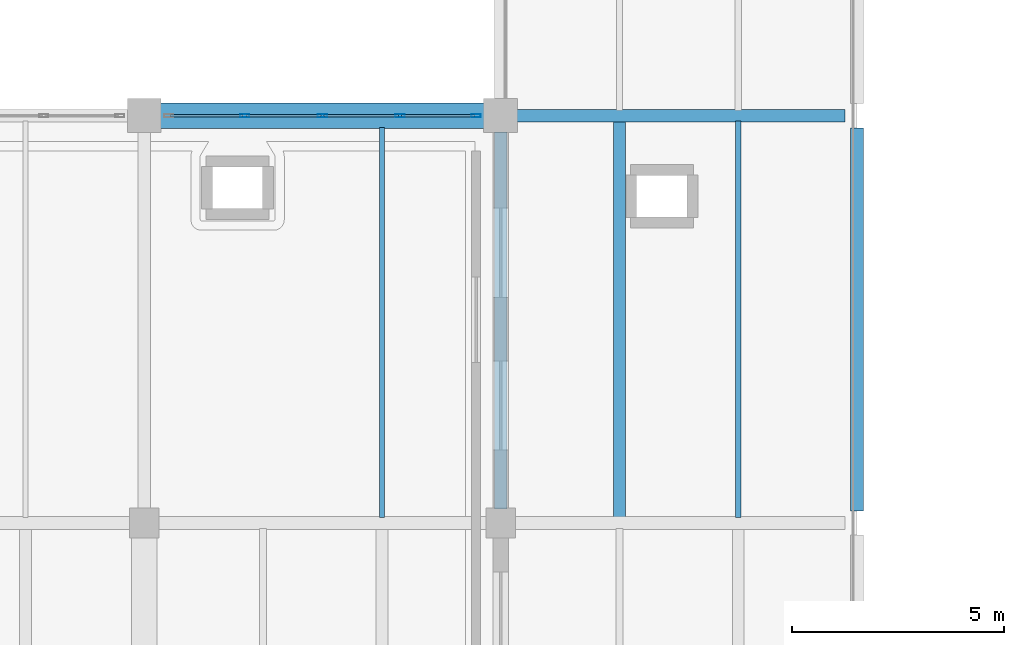
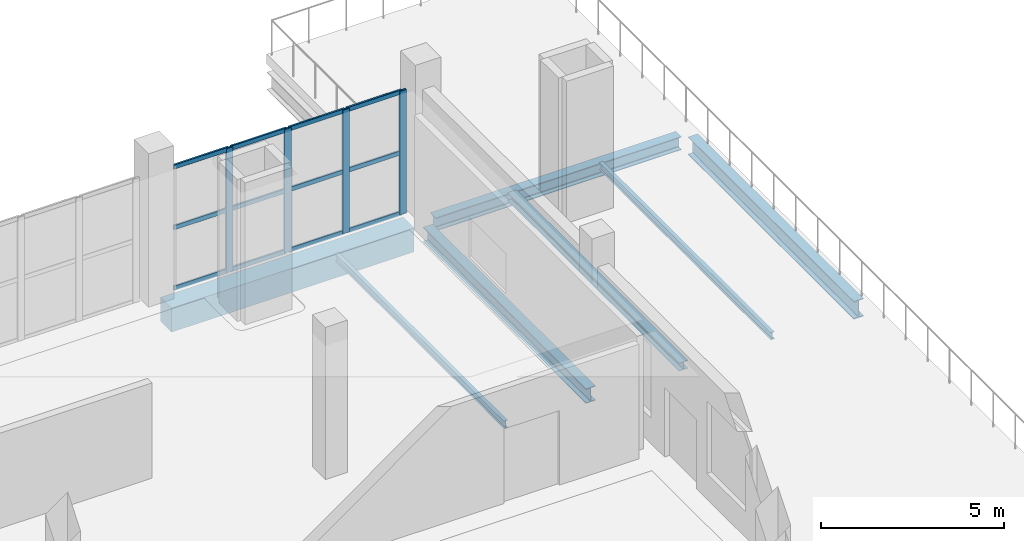
# One storey, part 26 of 77: 16 members, 7 beams, 1 element without a shape of its own.
"""IFC4 building model written with IfcOpenShell, lengths in metres."""

from ifc_helpers import new_model, si_unit, direction, frame, origin, origin_2d, place, context, subcontext, project, spatial, rectangle, hollow_rectangle, i_section, extrude, material, layer, layer_set, material_profile, profile_set, type_object, element, aggregate, save


model = new_model("IFC4")

# Units and contexts
model_context = context("Model", 3, precision=1e-05, world=origin(), true_north=direction((0.0, 1.0)))
body_context = subcontext(model_context, "Body", "Model", "MODEL_VIEW")
ifc_project = project(units=[si_unit("LENGTHUNIT", "METRE"), si_unit("AREAUNIT", "SQUARE_METRE"), si_unit("VOLUMEUNIT", "CUBIC_METRE"), si_unit("PLANEANGLEUNIT", "RADIAN"), si_unit("MASSUNIT", "GRAM", prefix="KILO")], contexts=[model_context])

# Site, building, storey
site_placement = place(None, origin())
site = spatial("IfcSite", under=ifc_project, at=site_placement, CompositionType="ELEMENT")
building_placement = place(site_placement, origin())
building = spatial("IfcBuilding", under=site, at=building_placement, Name="Zulmaris Art Gallery", CompositionType="ELEMENT")
storey_placement = place(building_placement, frame((0.0, 0.0, 15.60009765625)))
storey = spatial("IfcBuildingStorey", under=building, at=storey_placement, Name="L03", CompositionType="ELEMENT", Elevation=15.60009765625)

# Beams
ifc_material_1 = material(Name="Steel S355J2", Category="steel")
ifc_material_profile_1 = material_profile(ifc_material_1, i_section(OverallWidth=0.300048828125, OverallDepth=0.43994140625, WebThickness=0.011474609375, FlangeThickness=0.02099609375, FilletRadius=0.027099609375, at=origin_2d()), Name="HEA 450")
ifc_profile_set_1 = profile_set([ifc_material_profile_1], Name="Steel S355J2")
beam_type_1 = type_object("IfcBeamType", Name="BEAM-BM10", PredefinedType="BEAM", material=ifc_profile_set_1)
beam_1_placement = place(storey_placement, frame((83.18505859375, 50.39990234375, -0.6201171875), z_axis=(1.0, 0.0, 0.0), x_axis=(0.0, 1.0, 0.0)))
element("IfcBeam", 1, at=beam_1_placement, inside=storey, type_object=beam_type_1, Name="L03 X-girder (82.8..91.2, y=50.4)", PredefinedType="BEAM", context=body_context, shape_type="SweptSolid", body=[
    extrude(i_section(OverallWidth=0.300048828125, OverallDepth=0.43994140625, WebThickness=0.011474609375, FlangeThickness=0.02099609375, FilletRadius=0.027099609375, at=origin_2d()), origin(), (0.0, 0.0, 1.0), 7.72998046875),
])
ifc_material_profile_2 = material_profile(ifc_material_1, i_section(OverallWidth=0.300048828125, OverallDepth=0.489990234375, WebThickness=0.011962890625, FlangeThickness=0.02294921875, FilletRadius=0.027099609375, at=origin_2d()), Name="HEA 500")
ifc_profile_set_2 = profile_set([ifc_material_profile_2], Name="Steel S355J2")
beam_type_2 = type_object("IfcBeamType", Name="BEAM-BM11", PredefinedType="BEAM", material=ifc_profile_set_2)
beam_2_placement = place(storey_placement, frame((82.800048828125, 41.135009765625, -0.614990234375), z_axis=(0.0, 1.0, 0.0), x_axis=(-1.0, 0.0, 0.0)))
element("IfcBeam", 2, at=beam_2_placement, inside=storey, type_object=beam_type_2, Name="L03 Y-girder (x=82.8, 40.8..50.4)", PredefinedType="BEAM", context=body_context, shape_type="SweptSolid", body=[
    extrude(i_section(OverallWidth=0.300048828125, OverallDepth=0.489990234375, WebThickness=0.011962890625, FlangeThickness=0.02294921875, FilletRadius=0.027099609375, at=origin_2d()), origin(), (0.0, 0.0, 1.0), 8.8798828125),
])
ifc_material_profile_3 = material_profile(ifc_material_1, i_section(OverallWidth=0.300048828125, OverallDepth=0.60009765625, WebThickness=0.015380859375, FlangeThickness=0.030029296875, FilletRadius=0.027099609375, at=origin_2d()), Name="HEB 600")
ifc_profile_set_3 = profile_set([ifc_material_profile_3], Name="Steel S355J2")
beam_type_3 = type_object("IfcBeamType", Name="BEAM-BM15", PredefinedType="BEAM", material=ifc_profile_set_3)
beam_3_placement = place(storey_placement, frame((91.199951171875, 41.0849609375, -0.670166015625), z_axis=(0.0, 1.0, 0.0), x_axis=(-1.0, 0.0, 0.0)))
element("IfcBeam", 3, at=beam_3_placement, inside=storey, type_object=beam_type_3, Name="L03 Y-girder (x=91.2, 40.8..50.4)", PredefinedType="BEAM", context=body_context, shape_type="SweptSolid", body=[
    extrude(i_section(OverallWidth=0.300048828125, OverallDepth=0.60009765625, WebThickness=0.015380859375, FlangeThickness=0.030029296875, FilletRadius=0.027099609375, at=origin_2d()), origin(), (0.0, 0.0, 1.0), 9.030029296875),
])
ifc_material_2 = material(Name="Concrete C40/50", Category="concrete")
ifc_material_profile_4 = material_profile(ifc_material_2, rectangle(XDim=0.60009765625, YDim=0.800048828125, at=origin_2d()), Name="RC 600x800")
ifc_profile_set_4 = profile_set([ifc_material_profile_4], Name="Concrete C40/50")
beam_type_4 = type_object("IfcBeamType", Name="BEAM-BM27", PredefinedType="BEAM", material=ifc_profile_set_4)
beam_4_placement = place(storey_placement, frame((74.784912109375, 50.39990234375, -0.77001953125), z_axis=(1.0, 0.0, 0.0), x_axis=(0.0, 1.0, 0.0)))
element("IfcBeam", 4, at=beam_4_placement, inside=storey, type_object=beam_type_4, Name="L03 X-girder (74.4..82.8, y=50.4)", PredefinedType="BEAM", context=body_context, shape_type="SweptSolid", body=[
    extrude(rectangle(XDim=0.60009765625, YDim=0.800048828125, at=origin_2d()), origin(), (0.0, 0.0, 1.0), 7.630126953125),
])
ifc_material_profile_5 = material_profile(ifc_material_1, i_section(OverallWidth=0.1201171875, OverallDepth=0.239990234375, WebThickness=0.006103515625, FlangeThickness=0.009765625, FilletRadius=0.014892578125, at=origin_2d()), Name="IPE 240")
ifc_profile_set_5 = profile_set([ifc_material_profile_5], Name="Steel S355J2")
beam_type_5 = type_object("IfcBeamType", Name="BEAM-JS01", PredefinedType="JOIST", material=ifc_profile_set_5)
beam_5_placement = place(storey_placement, frame((80.0, 40.925048828125, -0.489990234375), z_axis=(0.0, 1.0, 0.0), x_axis=(-1.0, 0.0, 0.0)))
element("IfcBeam", 5, at=beam_5_placement, inside=storey, type_object=beam_type_5, Name="L03 secondary joist at x=80.0", PredefinedType="JOIST", context=body_context, shape_type="SweptSolid", body=[
    extrude(i_section(OverallWidth=0.1201171875, OverallDepth=0.239990234375, WebThickness=0.006103515625, FlangeThickness=0.009765625, FilletRadius=0.014892578125, at=origin_2d()), origin(), (0.0, 0.0, 1.0), 9.199951171875),
])
beam_6_placement = place(storey_placement, frame((88.39990234375, 40.925048828125, -0.489990234375), z_axis=(0.0, 1.0, 0.0), x_axis=(-1.0, 0.0, 0.0)))
element("IfcBeam", 6, at=beam_6_placement, inside=storey, type_object=beam_type_5, Name="L03 secondary joist at x=88.4", PredefinedType="JOIST", context=body_context, shape_type="SweptSolid", body=[
    extrude(i_section(OverallWidth=0.1201171875, OverallDepth=0.239990234375, WebThickness=0.006103515625, FlangeThickness=0.009765625, FilletRadius=0.014892578125, at=origin_2d()), origin(), (0.0, 0.0, 1.0), 9.349853515625),
])
ifc_material_profile_6 = material_profile(ifc_material_1, i_section(OverallWidth=0.280029296875, OverallDepth=0.27001953125, WebThickness=0.008056640625, FlangeThickness=0.012939453125, FilletRadius=0.02392578125, at=origin_2d()), Name="HEA 280")
ifc_profile_set_6 = profile_set([ifc_material_profile_6], Name="Steel S355J2")
beam_type_6 = type_object("IfcBeamType", Name="BEAM-JS04", PredefinedType="JOIST", material=ifc_profile_set_6)
beam_7_placement = place(storey_placement, frame((85.60009765625, 40.925048828125, -0.505126953125), z_axis=(0.0, 1.0, 0.0), x_axis=(-1.0, 0.0, 0.0)))
element("IfcBeam", 7, at=beam_7_placement, inside=storey, type_object=beam_type_6, Name="L03 secondary joist at x=85.6", PredefinedType="JOIST", context=body_context, shape_type="SweptSolid", body=[
    extrude(i_section(OverallWidth=0.280029296875, OverallDepth=0.27001953125, WebThickness=0.008056640625, FlangeThickness=0.012939453125, FilletRadius=0.02392578125, at=origin_2d()), origin(), (0.0, 0.0, 1.0), 9.349853515625),
])

# Curtain wall, members
ifc_material_3 = material(Name="Unitised Low-E Gallery Curtain Wall", Category="aluminium")
ifc_layer = layer(ifc_material_3, 0.179931640625)
ifc_layer_set = layer_set([ifc_layer], Name="Unitised Low-E Gallery Curtain Wall")
curtain_wall_type = type_object("IfcCurtainWallType", Name="CW-CW01", PredefinedType="NOTDEFINED", material=ifc_layer_set)
curtain_wall_placement = place(storey_placement, origin())
curtain_wall = element("IfcCurtainWall", 8, at=curtain_wall_placement, inside=storey, type_object=curtain_wall_type, Name="L03 curtain wall 15", PredefinedType="NOTDEFINED")
ifc_material_4 = material(Name="Anodised Bronze Aluminium", Category="aluminium")
ifc_material_profile_7 = material_profile(ifc_material_4, hollow_rectangle(XDim=0.074951171875, YDim=0.219970703125, WallThickness=0.0048828125, InnerFilletRadius=0.007568359375, OuterFilletRadius=0.012451171875, at=origin_2d()), Name="ALU 75x220x5")
ifc_profile_set_7 = profile_set([ifc_material_profile_7], Name="Anodised Bronze Aluminium")
member_type_1 = type_object("IfcMemberType", Name="CWMUL-02", PredefinedType="MULLION", material=ifc_profile_set_7)
member_1_placement = place(storey_placement, frame((82.222412109375, 50.39990234375, 0.0), z_axis=(0.0, 0.0, 1.0), x_axis=(0.0, -1.0, 0.0)))
member_1 = element("IfcMember", 9, at=member_1_placement, type_object=member_type_1, Name="CW01 mullion 1", PredefinedType="MULLION", context=body_context, shape_type="SweptSolid", body=[
    extrude(hollow_rectangle(XDim=0.074951171875, YDim=0.219970703125, WallThickness=0.0048828125, InnerFilletRadius=0.007568359375, OuterFilletRadius=0.012451171875, at=origin_2d()), origin(), (0.0, 0.0, 1.0), 4.10986328125),
])
member_2_placement = place(storey_placement, frame((80.429931640625, 50.39990234375, 0.0), z_axis=(0.0, 0.0, 1.0), x_axis=(0.0, -1.0, 0.0)))
member_2 = element("IfcMember", 10, at=member_2_placement, type_object=member_type_1, Name="CW01 mullion 2", PredefinedType="MULLION", context=body_context, shape_type="SweptSolid", body=[
    extrude(hollow_rectangle(XDim=0.074951171875, YDim=0.219970703125, WallThickness=0.0048828125, InnerFilletRadius=0.007568359375, OuterFilletRadius=0.012451171875, at=origin_2d()), origin(), (0.0, 0.0, 1.0), 4.10986328125),
])
member_3_placement = place(storey_placement, frame((78.60009765625, 50.39990234375, 0.0), z_axis=(0.0, 0.0, 1.0), x_axis=(0.0, -1.0, 0.0)))
member_3 = element("IfcMember", 11, at=member_3_placement, type_object=member_type_1, Name="CW01 mullion 3", PredefinedType="MULLION", context=body_context, shape_type="SweptSolid", body=[
    extrude(hollow_rectangle(XDim=0.074951171875, YDim=0.219970703125, WallThickness=0.0048828125, InnerFilletRadius=0.007568359375, OuterFilletRadius=0.012451171875, at=origin_2d()), origin(), (0.0, 0.0, 1.0), 4.10986328125),
])
member_4_placement = place(storey_placement, frame((76.77001953125, 50.39990234375, 0.0), z_axis=(0.0, 0.0, 1.0), x_axis=(0.0, -1.0, 0.0)))
member_4 = element("IfcMember", 12, at=member_4_placement, type_object=member_type_1, Name="CW01 mullion 4", PredefinedType="MULLION", context=body_context, shape_type="SweptSolid", body=[
    extrude(hollow_rectangle(XDim=0.074951171875, YDim=0.219970703125, WallThickness=0.0048828125, InnerFilletRadius=0.007568359375, OuterFilletRadius=0.012451171875, at=origin_2d()), origin(), (0.0, 0.0, 1.0), 4.10986328125),
])
ifc_material_profile_8 = material_profile(ifc_material_4, hollow_rectangle(XDim=0.06494140625, YDim=0.14990234375, WallThickness=0.00390625, InnerFilletRadius=0.006103515625, OuterFilletRadius=0.010009765625, at=origin_2d()), Name="ALU 65x150x4")
ifc_profile_set_8 = profile_set([ifc_material_profile_8], Name="Anodised Bronze Aluminium")
member_type_2 = type_object("IfcMemberType", Name="CWTRN-01", PredefinedType="USERDEFINED", material=ifc_profile_set_8)
member_5_placement = place(storey_placement, frame((82.18505859375, 50.39990234375, 0.037353515625), z_axis=(-1.0, 0.0, 0.0), x_axis=(0.0, -1.0, 0.0)))
member_5 = element("IfcMember", 13, at=member_5_placement, type_object=member_type_2, Name="CW01 transom 1.1", ObjectType="TRANSOM", PredefinedType="USERDEFINED", context=body_context, shape_type="SweptSolid", body=[
    extrude(hollow_rectangle(XDim=0.06494140625, YDim=0.14990234375, WallThickness=0.00390625, InnerFilletRadius=0.006103515625, OuterFilletRadius=0.010009765625, at=origin_2d()), origin(), (0.0, 0.0, 1.0), 1.717529296875),
])
member_6_placement = place(storey_placement, frame((82.18505859375, 50.39990234375, 2.054931640625), z_axis=(-1.0, 0.0, 0.0), x_axis=(0.0, -1.0, 0.0)))
member_6 = element("IfcMember", 14, at=member_6_placement, type_object=member_type_2, Name="CW01 transom 1.2", ObjectType="TRANSOM", PredefinedType="USERDEFINED", context=body_context, shape_type="SweptSolid", body=[
    extrude(hollow_rectangle(XDim=0.06494140625, YDim=0.14990234375, WallThickness=0.00390625, InnerFilletRadius=0.006103515625, OuterFilletRadius=0.010009765625, at=origin_2d()), origin(), (0.0, 0.0, 1.0), 1.717529296875),
])
member_7_placement = place(storey_placement, frame((82.18505859375, 50.39990234375, 4.072509765625), z_axis=(-1.0, 0.0, 0.0), x_axis=(0.0, -1.0, 0.0)))
member_7 = element("IfcMember", 15, at=member_7_placement, type_object=member_type_2, Name="CW01 transom 1.3", ObjectType="TRANSOM", PredefinedType="USERDEFINED", context=body_context, shape_type="SweptSolid", body=[
    extrude(hollow_rectangle(XDim=0.06494140625, YDim=0.14990234375, WallThickness=0.00390625, InnerFilletRadius=0.006103515625, OuterFilletRadius=0.010009765625, at=origin_2d()), origin(), (0.0, 0.0, 1.0), 1.717529296875),
])
member_8_placement = place(storey_placement, frame((80.392578125, 50.39990234375, 0.037353515625), z_axis=(-1.0, 0.0, 0.0), x_axis=(0.0, -1.0, 0.0)))
member_8 = element("IfcMember", 16, at=member_8_placement, type_object=member_type_2, Name="CW01 transom 2.1", ObjectType="TRANSOM", PredefinedType="USERDEFINED", context=body_context, shape_type="SweptSolid", body=[
    extrude(hollow_rectangle(XDim=0.06494140625, YDim=0.14990234375, WallThickness=0.00390625, InnerFilletRadius=0.006103515625, OuterFilletRadius=0.010009765625, at=origin_2d()), origin(), (0.0, 0.0, 1.0), 1.755126953125),
])
member_9_placement = place(storey_placement, frame((80.392578125, 50.39990234375, 2.054931640625), z_axis=(-1.0, 0.0, 0.0), x_axis=(0.0, -1.0, 0.0)))
member_9 = element("IfcMember", 17, at=member_9_placement, type_object=member_type_2, Name="CW01 transom 2.2", ObjectType="TRANSOM", PredefinedType="USERDEFINED", context=body_context, shape_type="SweptSolid", body=[
    extrude(hollow_rectangle(XDim=0.06494140625, YDim=0.14990234375, WallThickness=0.00390625, InnerFilletRadius=0.006103515625, OuterFilletRadius=0.010009765625, at=origin_2d()), origin(), (0.0, 0.0, 1.0), 1.755126953125),
])
member_10_placement = place(storey_placement, frame((80.392578125, 50.39990234375, 4.072509765625), z_axis=(-1.0, 0.0, 0.0), x_axis=(0.0, -1.0, 0.0)))
member_10 = element("IfcMember", 18, at=member_10_placement, type_object=member_type_2, Name="CW01 transom 2.3", ObjectType="TRANSOM", PredefinedType="USERDEFINED", context=body_context, shape_type="SweptSolid", body=[
    extrude(hollow_rectangle(XDim=0.06494140625, YDim=0.14990234375, WallThickness=0.00390625, InnerFilletRadius=0.006103515625, OuterFilletRadius=0.010009765625, at=origin_2d()), origin(), (0.0, 0.0, 1.0), 1.755126953125),
])
member_11_placement = place(storey_placement, frame((78.5625, 50.39990234375, 0.037353515625), z_axis=(-1.0, 0.0, 0.0), x_axis=(0.0, -1.0, 0.0)))
member_11 = element("IfcMember", 19, at=member_11_placement, type_object=member_type_2, Name="CW01 transom 3.1", ObjectType="TRANSOM", PredefinedType="USERDEFINED", context=body_context, shape_type="SweptSolid", body=[
    extrude(hollow_rectangle(XDim=0.06494140625, YDim=0.14990234375, WallThickness=0.00390625, InnerFilletRadius=0.006103515625, OuterFilletRadius=0.010009765625, at=origin_2d()), origin(), (0.0, 0.0, 1.0), 1.7548828125),
])
member_12_placement = place(storey_placement, frame((78.5625, 50.39990234375, 2.054931640625), z_axis=(-1.0, 0.0, 0.0), x_axis=(0.0, -1.0, 0.0)))
member_12 = element("IfcMember", 20, at=member_12_placement, type_object=member_type_2, Name="CW01 transom 3.2", ObjectType="TRANSOM", PredefinedType="USERDEFINED", context=body_context, shape_type="SweptSolid", body=[
    extrude(hollow_rectangle(XDim=0.06494140625, YDim=0.14990234375, WallThickness=0.00390625, InnerFilletRadius=0.006103515625, OuterFilletRadius=0.010009765625, at=origin_2d()), origin(), (0.0, 0.0, 1.0), 1.7548828125),
])
member_13_placement = place(storey_placement, frame((78.5625, 50.39990234375, 4.072509765625), z_axis=(-1.0, 0.0, 0.0), x_axis=(0.0, -1.0, 0.0)))
member_13 = element("IfcMember", 21, at=member_13_placement, type_object=member_type_2, Name="CW01 transom 3.3", ObjectType="TRANSOM", PredefinedType="USERDEFINED", context=body_context, shape_type="SweptSolid", body=[
    extrude(hollow_rectangle(XDim=0.06494140625, YDim=0.14990234375, WallThickness=0.00390625, InnerFilletRadius=0.006103515625, OuterFilletRadius=0.010009765625, at=origin_2d()), origin(), (0.0, 0.0, 1.0), 1.7548828125),
])
member_14_placement = place(storey_placement, frame((76.732421875, 50.39990234375, 0.037353515625), z_axis=(-1.0, 0.0, 0.0), x_axis=(0.0, -1.0, 0.0)))
member_14 = element("IfcMember", 22, at=member_14_placement, type_object=member_type_2, Name="CW01 transom 4.1", ObjectType="TRANSOM", PredefinedType="USERDEFINED", context=body_context, shape_type="SweptSolid", body=[
    extrude(hollow_rectangle(XDim=0.06494140625, YDim=0.14990234375, WallThickness=0.00390625, InnerFilletRadius=0.006103515625, OuterFilletRadius=0.010009765625, at=origin_2d()), origin(), (0.0, 0.0, 1.0), 1.717529296875),
])
member_15_placement = place(storey_placement, frame((76.732421875, 50.39990234375, 2.054931640625), z_axis=(-1.0, 0.0, 0.0), x_axis=(0.0, -1.0, 0.0)))
member_15 = element("IfcMember", 23, at=member_15_placement, type_object=member_type_2, Name="CW01 transom 4.2", ObjectType="TRANSOM", PredefinedType="USERDEFINED", context=body_context, shape_type="SweptSolid", body=[
    extrude(hollow_rectangle(XDim=0.06494140625, YDim=0.14990234375, WallThickness=0.00390625, InnerFilletRadius=0.006103515625, OuterFilletRadius=0.010009765625, at=origin_2d()), origin(), (0.0, 0.0, 1.0), 1.717529296875),
])
member_16_placement = place(storey_placement, frame((76.732421875, 50.39990234375, 4.072509765625), z_axis=(-1.0, 0.0, 0.0), x_axis=(0.0, -1.0, 0.0)))
member_16 = element("IfcMember", 24, at=member_16_placement, type_object=member_type_2, Name="CW01 transom 4.3", ObjectType="TRANSOM", PredefinedType="USERDEFINED", context=body_context, shape_type="SweptSolid", body=[
    extrude(hollow_rectangle(XDim=0.06494140625, YDim=0.14990234375, WallThickness=0.00390625, InnerFilletRadius=0.006103515625, OuterFilletRadius=0.010009765625, at=origin_2d()), origin(), (0.0, 0.0, 1.0), 1.717529296875),
])
aggregate(curtain_wall, [member_1, member_2, member_3, member_4, member_5, member_6, member_7, member_8, member_9, member_10, member_11, member_12, member_13, member_14, member_15, member_16])

save(model, "model.ifc")
